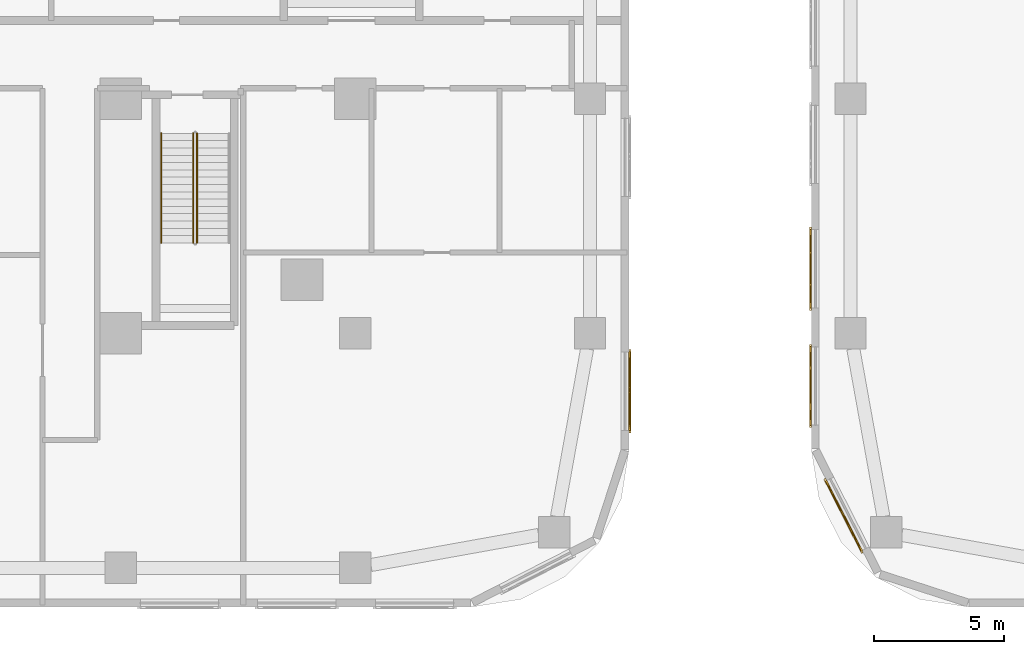
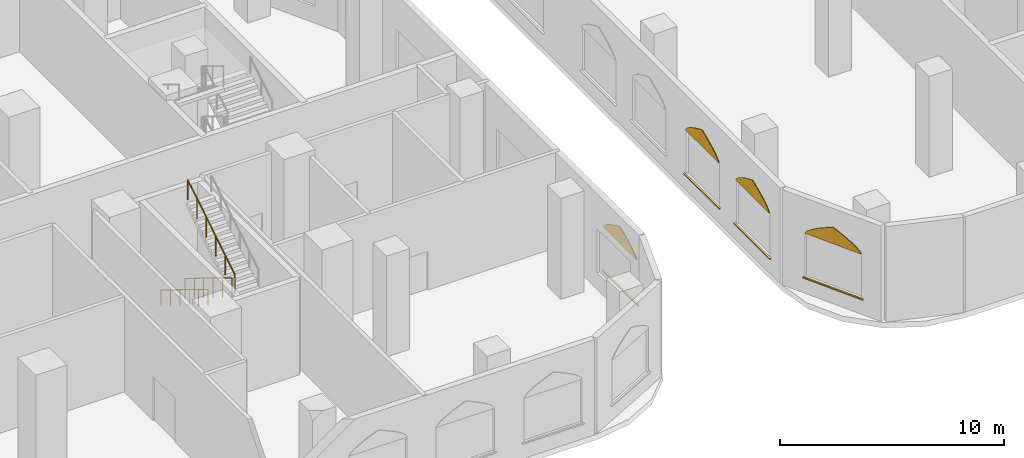
# One storey, part 27 of 31: 8 coverings, 3 railings.
"""IFC4 building model written with IfcOpenShell, lengths in metres."""

from ifc_helpers import new_model, si_unit, direction, frame, origin, origin_2d, place, context, subcontext, project, spatial, polyline, rectangle, circle, outline, extrude, material, layer, layer_set, type_object, element, save


model = new_model("IFC4")

# Units and contexts
model_context = context("Model", 3, precision=1e-05, world=origin(), true_north=direction((0.0, 1.0)))
body_context = subcontext(model_context, "Body", "Model", "MODEL_VIEW")
ifc_project = project(units=[si_unit("LENGTHUNIT", "METRE"), si_unit("AREAUNIT", "SQUARE_METRE"), si_unit("VOLUMEUNIT", "CUBIC_METRE"), si_unit("PLANEANGLEUNIT", "RADIAN"), si_unit("MASSUNIT", "GRAM", prefix="KILO")], contexts=[model_context])

# Site, building, storey
site_placement = place(None, origin())
site = spatial("IfcSite", under=ifc_project, at=site_placement, CompositionType="ELEMENT")
building_placement = place(site_placement, origin())
building = spatial("IfcBuilding", under=site, at=building_placement, Name="Ogive Portal Towers", CompositionType="ELEMENT")
storey_placement = place(building_placement, frame((0.0, 0.0, 8.0)))
storey = spatial("IfcBuildingStorey", under=building, at=storey_placement, Name="L01", CompositionType="ELEMENT", Elevation=8.0)

# Railings
ifc_material_1 = material(Name="Stainless steel balustrade", Category="steel")
railing_type_1 = type_object("IfcRailingType", Name="INT-GUARD", PredefinedType="GUARDRAIL", material=ifc_material_1)
railing_1_placement = place(storey_placement, frame((88.280029296875, 29.169921875, 0.171875)))
element("IfcRailing", 1, at=railing_1_placement, inside=storey, type_object=railing_type_1, Name="L01 ST-A4 stair guard 1", PredefinedType="GUARDRAIL", context=body_context, shape_type="SweptSolid", body=[
    extrude(circle(Radius=0.02392578125, at=origin_2d()), frame((0.0, 0.0, 1.076171875), z_axis=(0.0, -0.852242915053, 0.523146264196), x_axis=(1.0, 0.0, 0.0)), (0.0, 0.0, 1.0), 4.92822265625),
    extrude(circle(Radius=0.02099609375, at=origin_2d()), origin(), (0.0, 0.0, 1.0), 1.052001953125),
    extrude(circle(Radius=0.02099609375, at=origin_2d()), frame((0.0, -0.840087890625, 0.515625)), (0.0, 0.0, 1.0), 1.052001953125),
    extrude(circle(Radius=0.02099609375, at=origin_2d()), frame((0.0, -1.679931640625, 1.03125)), (0.0, 0.0, 1.0), 1.052001953125),
    extrude(circle(Radius=0.02099609375, at=origin_2d()), frame((0.0, -2.52001953125, 1.546875)), (0.0, 0.0, 1.0), 1.052001953125),
    extrude(circle(Radius=0.02099609375, at=origin_2d()), frame((0.0, -3.35986328125, 2.0625)), (0.0, 0.0, 1.0), 1.052001953125),
    extrude(circle(Radius=0.02099609375, at=origin_2d()), frame((0.0, -4.199951171875, 2.578125)), (0.0, 0.0, 1.0), 1.052001953125),
])
railing_2_placement = place(storey_placement, frame((88.419921875, 24.969970703125, 2.921875)))
element("IfcRailing", 2, at=railing_2_placement, inside=storey, type_object=railing_type_1, Name="L01 ST-A4 stair guard 3", PredefinedType="GUARDRAIL", context=body_context, shape_type="SweptSolid", body=[
    extrude(circle(Radius=0.02392578125, at=origin_2d()), frame((0.0, 0.0, 1.076171875), z_axis=(0.0, 0.852242915053, 0.523146264196), x_axis=(-1.0, 0.0, 0.0)), (0.0, 0.0, 1.0), 4.92822265625),
    extrude(circle(Radius=0.02099609375, at=origin_2d()), origin(), (0.0, 0.0, 1.0), 1.052001953125),
    extrude(circle(Radius=0.02099609375, at=origin_2d()), frame((0.0, 0.840087890625, 0.515625)), (0.0, 0.0, 1.0), 1.052001953125),
    extrude(circle(Radius=0.02099609375, at=origin_2d()), frame((0.0, 1.679931640625, 1.03125)), (0.0, 0.0, 1.0), 1.052001953125),
    extrude(circle(Radius=0.02099609375, at=origin_2d()), frame((0.0, 2.52001953125, 1.546875)), (0.0, 0.0, 1.0), 1.052001953125),
    extrude(circle(Radius=0.02099609375, at=origin_2d()), frame((0.0, 3.35986328125, 2.0625)), (0.0, 0.0, 1.0), 1.052001953125),
    extrude(circle(Radius=0.02099609375, at=origin_2d()), frame((0.0, 4.199951171875, 2.578125)), (0.0, 0.0, 1.0), 1.052001953125),
])
ifc_material_2 = material(Name="Stainless steel handrail", Category="steel")
railing_type_2 = type_object("IfcRailingType", Name="INT-HANDRAIL", PredefinedType="HANDRAIL", material=ifc_material_2)
railing_3_placement = place(storey_placement, frame((87.050048828125, 29.169921875, 0.171875)))
element("IfcRailing", 3, at=railing_3_placement, inside=storey, type_object=railing_type_2, Name="L01 ST-A4 stair handrail 1", PredefinedType="HANDRAIL", context=body_context, shape_type="SweptSolid", body=[
    extrude(circle(Radius=0.02392578125, at=origin_2d()), frame((0.0, 0.0, 0.8759765625), z_axis=(0.0, -0.852242915053, 0.523146264196), x_axis=(1.0, 0.0, 0.0)), (0.0, 0.0, 1.0), 4.92822265625),
    extrude(circle(Radius=0.02099609375, at=origin_2d()), origin(), (0.0, 0.0, 1.0), 0.851806640625),
    extrude(circle(Radius=0.02099609375, at=origin_2d()), frame((0.0, -0.840087890625, 0.515625)), (0.0, 0.0, 1.0), 0.851806640625),
    extrude(circle(Radius=0.02099609375, at=origin_2d()), frame((0.0, -1.679931640625, 1.03125)), (0.0, 0.0, 1.0), 0.851806640625),
    extrude(circle(Radius=0.02099609375, at=origin_2d()), frame((0.0, -2.52001953125, 1.546875)), (0.0, 0.0, 1.0), 0.851806640625),
    extrude(circle(Radius=0.02099609375, at=origin_2d()), frame((0.0, -3.35986328125, 2.0625)), (0.0, 0.0, 1.0), 0.851806640625),
    extrude(circle(Radius=0.02099609375, at=origin_2d()), frame((0.0, -4.199951171875, 2.578125)), (0.0, 0.0, 1.0), 0.851806640625),
])

# Coverings
ifc_material_3 = material(Name="Limestone cladding on lightweight block wall", Category="masonry")
ifc_layer_1 = layer(ifc_material_3, 0.0400390625)
ifc_layer_set_1 = layer_set([ifc_layer_1], Name="LANCET HEAD STONE")
covering_type_1 = type_object("IfcCoveringType", Name="LANCET HEAD STONE", PredefinedType="CLADDING", material=ifc_layer_set_1)
covering_1_placement = place(storey_placement, frame((105.0, 17.773681640625, 3.300048828125), z_axis=(-0.99995005646, 0.0, 0.009994227635), x_axis=(0.0, 1.0, 0.0)))
element("IfcCovering", 4, at=covering_1_placement, inside=storey, type_object=covering_type_1, Name="Lancet head", PredefinedType="CLADDING", context=body_context, shape_type="SweptSolid", body=[
    extrude(outline(polyline([(0.0, 0.0), (3.0, 0.0), (2.933837890625, -0.11255540702298532), (2.8125, -0.22486424561723664), (2.655517578125, -0.33741965264022195), (2.4697265625, -0.44997261966622615), (2.259033203125, -0.5625280266892115), (2.02587890625, -0.6750834337121968), (1.7724609375, -0.7873922723064481), (1.5, -0.8999476793294334), (1.227783203125, -0.7873922723064481), (0.974365234375, -0.6750834337121968), (0.7412109375, -0.5625280266892115), (0.530517578125, -0.44997261966622615), (0.344482421875, -0.33741965264022195), (0.1875, -0.22486424561723664), (0.06640625, -0.11255540702298532), (0.0, 0.0)])), origin(), (0.0, 0.0, -1.0), 0.0400390625),
])
covering_2_placement = place(storey_placement, frame((112.58837890625, 15.84521484375, 3.300048828125), z_axis=(0.890951213184, 0.453986518369, 0.010108257236), x_axis=(0.454009716366, -0.890996732567, -3.06364e-07)))
element("IfcCovering", 5, at=covering_2_placement, inside=storey, type_object=covering_type_1, Name="Lancet head", PredefinedType="CLADDING", context=body_context, shape_type="SweptSolid", body=[
    extrude(outline(polyline([(0.0, 0.0), (2.999890731384289, 0.0), (2.9337135819672038, -0.1125567277471324), (2.812400611987339, -0.22486506751868154), (2.6556000370748487, -0.3374203120598849), (2.469538433092914, -0.4499743995598753), (2.2588005222545657, -0.5625287879186986), (2.0255699014167377, -0.6750836458422428), (1.7721410097270687, -0.7873928150844063), (1.499929860246848, -0.8999490760785828), (1.2276287171759217, -0.7873937893609075), (0.9742165180292072, -0.6750829864833984), (0.741113432099835, -0.5625274171833613), (0.5303922139540335, -0.44997357711867286), (0.34434730266464575, -0.33741943619515136), (0.18734589194553927, -0.22486533182457222), (0.06626714300779069, -0.11255481996471935), (0.0, 0.0)])), origin(), (0.0, 0.0, -1.0), 0.0400390625),
])
for number, where, z_axis, x_axis, name in (
    (6, (112.0, 25.476318359375, 3.300048828125), (0.99995005646, 0.0, 0.009994227635), (0.0, -1.0, 0.0), "Lancet head"),
    (7, (112.0, 20.976318359375, 3.300048828125), (0.99995005646, 0.0, 0.009994227635), (0.0, -1.0, 0.0), "Lancet head"),
):
    element("IfcCovering", number, at=place(storey_placement, frame(where, z_axis=z_axis, x_axis=x_axis)), inside=storey, type_object=covering_type_1, Name=name, PredefinedType="CLADDING", context=body_context, shape_type="SweptSolid", body=[
        extrude(outline(polyline([(0.0, 0.0), (3.0, 0.0), (2.933837890625, -0.11255540702298532), (2.8125, -0.22486424561723664), (2.655517578125, -0.33741965264022195), (2.4697265625, -0.44997261966622615), (2.259033203125, -0.5625280266892115), (2.02587890625, -0.6750834337121968), (1.7724609375, -0.7873922723064481), (1.5, -0.8999476793294334), (1.227783203125, -0.7873922723064481), (0.974365234375, -0.6750834337121968), (0.7412109375, -0.5625280266892115), (0.530517578125, -0.44997261966622615), (0.344482421875, -0.33741965264022195), (0.1875, -0.22486424561723664), (0.06640625, -0.11255540702298532), (0.0, 0.0)])), origin(), (0.0, 0.0, -1.0), 0.0400390625),
    ])
ifc_layer_2 = layer(ifc_material_3, 0.080078125)
ifc_layer_set_2 = layer_set([ifc_layer_2], Name="STONE SILL 80")
covering_type_2 = type_object("IfcCoveringType", Name="STONE SILL 80", PredefinedType="CLADDING", material=ifc_layer_set_2)
for number, where, z_axis, x_axis, name in (
    (8, (105.0400390625, 19.273681640625, 0.840087890625), (0.0, 0.0, 1.0), (0.0, 1.0, 0.0), "Stone sill"),
    (9, (113.233642578125, 14.49072265625, 0.840087890625), (0.0, 0.0, 1.0), (0.45399049974, -0.891006524188, 0.0), "Stone sill"),
    (10, (111.9599609375, 23.976318359375, 0.840087890625), (0.0, 0.0, 1.0), (0.0, -1.0, 0.0), "Stone sill"),
    (11, (111.9599609375, 19.476318359375, 0.840087890625), (0.0, 0.0, 1.0), (0.0, -1.0, 0.0), "Stone sill"),
):
    element("IfcCovering", number, at=place(storey_placement, frame(where, z_axis=z_axis, x_axis=x_axis)), inside=storey, type_object=covering_type_2, Name=name, PredefinedType="CLADDING", context=body_context, shape_type="SweptSolid", body=[
        extrude(rectangle(XDim=3.199951171875, YDim=0.080078125, at=origin_2d()), origin(), (0.0, 0.0, 1.0), 0.06005859375),
    ])

save(model, "model.ifc")
